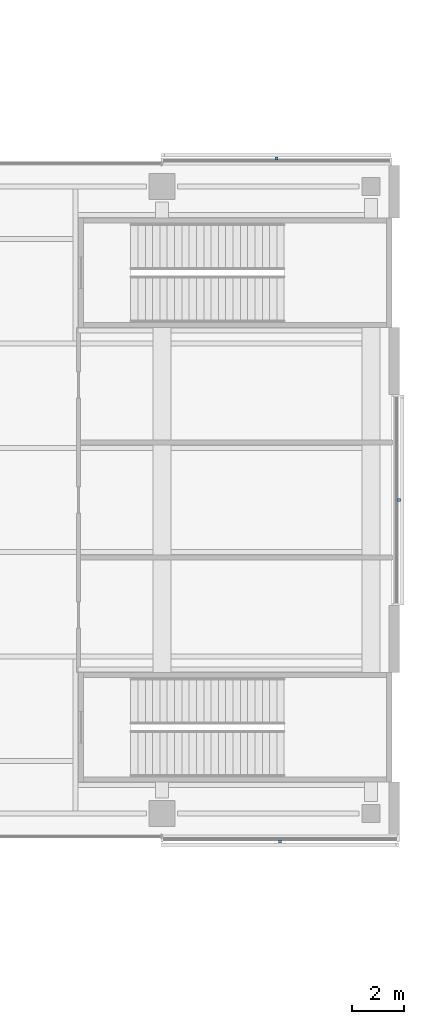
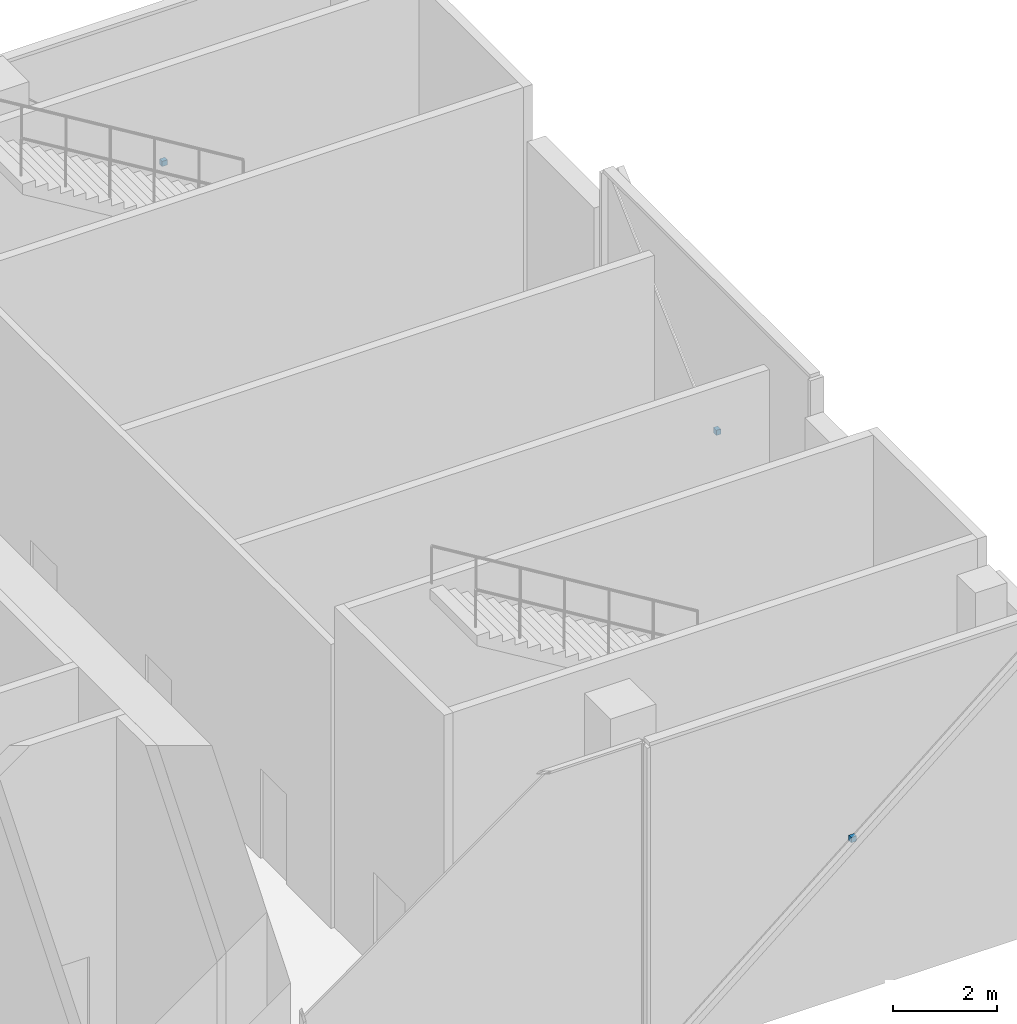
# One storey, part 22 of 25: 3 discrete accessories.
"""IFC4 building model written with IfcOpenShell, lengths in metres."""

from ifc_helpers import new_model, si_unit, direction, frame, origin, origin_2d, place, context, subcontext, project, spatial, rectangle, extrude, material, type_object, element, save


model = new_model("IFC4")

# Units and contexts
model_context = context("Model", 3, precision=1e-05, world=origin(), true_north=direction((0.0, 1.0)))
body_context = subcontext(model_context, "Body", "Model", "MODEL_VIEW")
ifc_project = project(units=[si_unit("LENGTHUNIT", "METRE"), si_unit("AREAUNIT", "SQUARE_METRE"), si_unit("VOLUMEUNIT", "CUBIC_METRE"), si_unit("PLANEANGLEUNIT", "RADIAN"), si_unit("MASSUNIT", "GRAM", prefix="KILO")], contexts=[model_context])

# Site, building, storey
site_placement = place(None, origin())
site = spatial("IfcSite", under=ifc_project, at=site_placement, CompositionType="ELEMENT")
building_placement = place(site_placement, origin())
building = spatial("IfcBuilding", under=site, at=building_placement, Name="Crosswind Convention Tower", CompositionType="ELEMENT")
storey_placement = place(building_placement, frame((0.0, 0.0, 10.0)))
storey = spatial("IfcBuildingStorey", under=building, at=storey_placement, Name="L01", CompositionType="ELEMENT", Elevation=10.0)

# Discrete accessories
ifc_material = material(Name="Stainless steel", Category="steel")
discrete_accessory_type = type_object("IfcDiscreteAccessoryType", Name="BAGUETTE BRACKET BK1", PredefinedType="BRACKET", material=ifc_material)
for number, where, z_axis, x_axis, name in (
    (1, (170.073974609375, 100.0, 3.25), (0.0, 0.0, 1.0), (0.0, 1.0, 0.0), "BK1 baguette bracket"),
    (2, (165.3798828125, 113.073974609375, 3.25), (0.0, 0.0, 1.0), (-1.0, 0.0, 0.0), "BK1 baguette bracket"),
    (3, (165.5224609375, 86.926025390625, 3.25), (0.0, 0.0, 1.0), (1.0, 0.0, 0.0), "BK1 baguette bracket"),
):
    element("IfcDiscreteAccessory", number, at=place(storey_placement, frame(where, z_axis=z_axis, x_axis=x_axis)), inside=storey, type_object=discrete_accessory_type, Name=name, PredefinedType="BRACKET", context=body_context, shape_type="SweptSolid", body=[
        extrude(rectangle(XDim=0.1201171875, YDim=0.10009765625, at=origin_2d()), origin(), (0.0, 0.0, 1.0), 0.1201171875),
    ])

save(model, "model.ifc")
